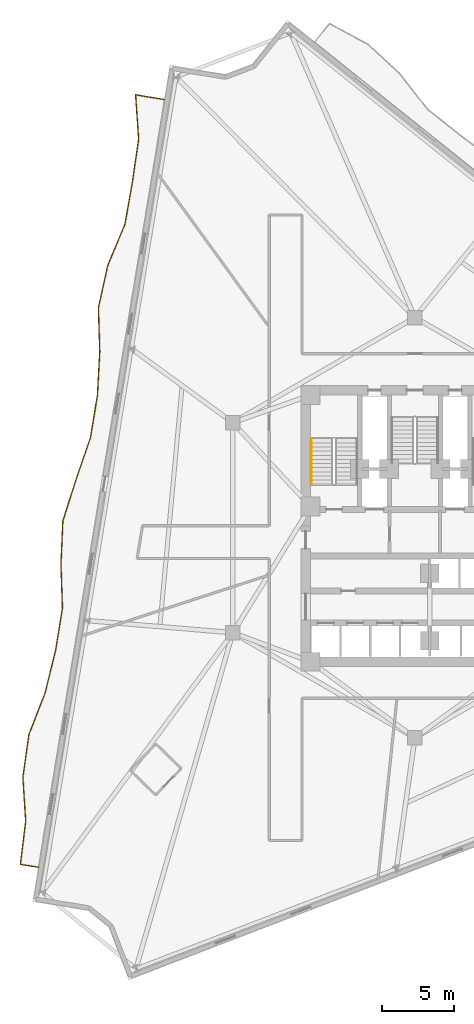
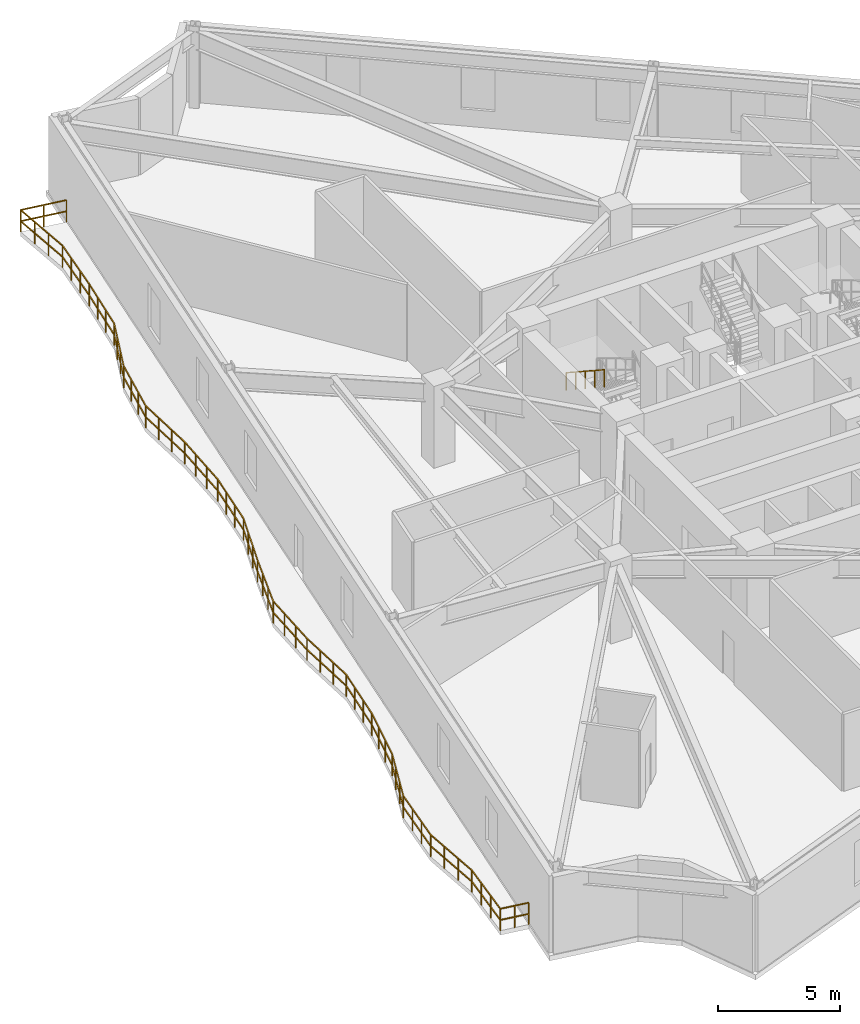
# One storey, part 8 of 10: 2 railings.
"""IFC4 building model written with IfcOpenShell, lengths in metres."""

from ifc_helpers import new_model, si_unit, direction, frame, origin, origin_2d, place, context, subcontext, project, spatial, rectangle, extrude, material, type_object, element, save


model = new_model("IFC4")

# Units and contexts
model_context = context("Model", 3, precision=1e-05, world=origin(), true_north=direction((0.0, 1.0)))
body_context = subcontext(model_context, "Body", "Model", "MODEL_VIEW")
ifc_project = project(units=[si_unit("LENGTHUNIT", "METRE"), si_unit("AREAUNIT", "SQUARE_METRE"), si_unit("VOLUMEUNIT", "CUBIC_METRE"), si_unit("PLANEANGLEUNIT", "RADIAN"), si_unit("MASSUNIT", "GRAM", prefix="KILO")], contexts=[model_context])

# Site, building, storey
site_placement = place(None, origin())
site = spatial("IfcSite", under=ifc_project, at=site_placement, CompositionType="ELEMENT")
building_placement = place(site_placement, origin())
building = spatial("IfcBuilding", under=site, at=building_placement, Name="Apsidion Concourse Tower", CompositionType="ELEMENT")
storey_placement = place(building_placement, frame((0.0, 0.0, 152.699951171875)))
storey = spatial("IfcBuildingStorey", under=building, at=storey_placement, Name="L35", CompositionType="ELEMENT", Elevation=152.699951171875)

# Railings
ifc_material = material(Name="Brushed stainless steel 316", Category="steel")
railing_type_1 = type_object("IfcRailingType", Name="RL-BAL-1120", PredefinedType="BALUSTRADE", material=ifc_material)
railing_1_placement = place(storey_placement, frame((-25.99072265625, -23.43701171875, 0.0)))
element("IfcRailing", 1, at=railing_1_placement, inside=storey, type_object=railing_type_1, Name="L35 Face 1 Rippling Balcony Balustrade", PredefinedType="BALUSTRADE", context=body_context, shape_type="SweptSolid", body=[
    extrude(rectangle(XDim=0.048095703125, YDim=0.048095703125, at=origin_2d()), frame((0.0, 0.0, 1.09619140625), z_axis=(-0.986776507438, 0.162086780363, 0.0), x_axis=(-0.162086780363, -0.986776507438, 0.0)), (0.0, 0.0, 1.0), 1.250244140625),
    extrude(rectangle(XDim=0.048095703125, YDim=0.048095703125, at=origin_2d()), frame((0.0, 0.0, 0.5361328125), z_axis=(-0.986776507438, 0.162086780363, 0.0), x_axis=(-0.162086780363, -0.986776507438, 0.0)), (0.0, 0.0, 1.0), 1.250244140625),
    extrude(rectangle(XDim=0.048095703125, YDim=0.048095703125, at=origin_2d()), frame((-1.233642578125, 0.20263671875, 1.09619140625), z_axis=(0.121850312869, 0.992548488112, 0.0), x_axis=(-0.992548488112, 0.121850312869, 0.0)), (0.0, 0.0, 1.0), 2.9853515625),
    extrude(rectangle(XDim=0.048095703125, YDim=0.048095703125, at=origin_2d()), frame((-1.233642578125, 0.20263671875, 0.5361328125), z_axis=(0.121850312869, 0.992548488112, 0.0), x_axis=(-0.992548488112, 0.121850312869, 0.0)), (0.0, 0.0, 1.0), 2.9853515625),
    extrude(rectangle(XDim=0.048095703125, YDim=0.048095703125, at=origin_2d()), frame((-0.869873046875, 3.165771484375, 1.09619140625), z_axis=(-0.063018922748, 0.998012332276, 0.0), x_axis=(-0.998012332276, -0.063018922748, 0.0)), (0.0, 0.0, 1.0), 3.060546875),
    extrude(rectangle(XDim=0.048095703125, YDim=0.048095703125, at=origin_2d()), frame((-0.869873046875, 3.165771484375, 0.5361328125), z_axis=(-0.063018922748, 0.998012332276, 0.0), x_axis=(-0.998012332276, -0.063018922748, 0.0)), (0.0, 0.0, 1.0), 3.060546875),
    extrude(rectangle(XDim=0.048095703125, YDim=0.048095703125, at=origin_2d()), frame((-1.062744140625, 6.22021484375, 1.09619140625), z_axis=(0.140000747197, 0.990151397911, 0.0), x_axis=(-0.990151397911, 0.140000747197, 0.0)), (0.0, 0.0, 1.0), 2.983642578125),
    extrude(rectangle(XDim=0.048095703125, YDim=0.048095703125, at=origin_2d()), frame((-1.062744140625, 6.22021484375, 0.5361328125), z_axis=(0.140000747197, 0.990151397911, 0.0), x_axis=(-0.990151397911, 0.140000747197, 0.0)), (0.0, 0.0, 1.0), 2.983642578125),
    extrude(rectangle(XDim=0.048095703125, YDim=0.048095703125, at=origin_2d()), frame((-0.64501953125, 9.174560546875, 1.09619140625), z_axis=(0.363384884933, 0.931639106845, 0.0), x_axis=(-0.931639106845, 0.363384884933, 0.0)), (0.0, 0.0, 1.0), 3.049560546875),
    extrude(rectangle(XDim=0.048095703125, YDim=0.048095703125, at=origin_2d()), frame((-0.64501953125, 9.174560546875, 0.5361328125), z_axis=(0.363384884933, 0.931639106845, 0.0), x_axis=(-0.931639106845, 0.363384884933, 0.0)), (0.0, 0.0, 1.0), 3.049560546875),
    extrude(rectangle(XDim=0.048095703125, YDim=0.048095703125, at=origin_2d()), frame((0.463134765625, 12.015625, 1.09619140625), z_axis=(0.240346635604, 0.970687125058, 0.0), x_axis=(-0.970687125058, 0.240346635604, 0.0)), (0.0, 0.0, 1.0), 2.992431640625),
    extrude(rectangle(XDim=0.048095703125, YDim=0.048095703125, at=origin_2d()), frame((0.463134765625, 12.015625, 0.5361328125), z_axis=(0.240346635604, 0.970687125058, 0.0), x_axis=(-0.970687125058, 0.240346635604, 0.0)), (0.0, 0.0, 1.0), 2.992431640625),
    extrude(rectangle(XDim=0.048095703125, YDim=0.048095703125, at=origin_2d()), frame((1.182373046875, 14.92041015625, 1.09619140625), z_axis=(0.161969706487, 0.986795730727, 0.0), x_axis=(-0.986795730727, 0.161969706487, 0.0)), (0.0, 0.0, 1.0), 2.98291015625),
    extrude(rectangle(XDim=0.048095703125, YDim=0.048095703125, at=origin_2d()), frame((1.182373046875, 14.92041015625, 0.5361328125), z_axis=(0.161969706487, 0.986795730727, 0.0), x_axis=(-0.986795730727, 0.161969706487, 0.0)), (0.0, 0.0, 1.0), 2.98291015625),
    extrude(rectangle(XDim=0.048095703125, YDim=0.048095703125, at=origin_2d()), frame((1.66552734375, 17.864013671875, 1.09619140625), z_axis=(-0.033317503367, 0.999444817871, 0.0), x_axis=(-0.999444817871, -0.033317503367, 0.0)), (0.0, 0.0, 1.0), 3.041015625),
    extrude(rectangle(XDim=0.048095703125, YDim=0.048095703125, at=origin_2d()), frame((1.66552734375, 17.864013671875, 0.5361328125), z_axis=(-0.033317503367, 0.999444817871, 0.0), x_axis=(-0.999444817871, -0.033317503367, 0.0)), (0.0, 0.0, 1.0), 3.041015625),
    extrude(rectangle(XDim=0.048095703125, YDim=0.048095703125, at=origin_2d()), frame((1.564208984375, 20.9033203125, 1.09619140625), z_axis=(0.04380044913, 0.999040299816, 0.0), x_axis=(-0.999040299816, 0.04380044913, 0.0)), (0.0, 0.0, 1.0), 3.00439453125),
    extrude(rectangle(XDim=0.048095703125, YDim=0.048095703125, at=origin_2d()), frame((1.564208984375, 20.9033203125, 0.5361328125), z_axis=(0.04380044913, 0.999040299816, 0.0), x_axis=(-0.999040299816, 0.04380044913, 0.0)), (0.0, 0.0, 1.0), 3.00439453125),
    extrude(rectangle(XDim=0.048095703125, YDim=0.048095703125, at=origin_2d()), frame((1.69580078125, 23.90478515625, 1.09619140625), z_axis=(0.30312677374, 0.952950239541, 0.0), x_axis=(-0.952950239541, 0.30312677374, 0.0)), (0.0, 0.0, 1.0), 3.0146484375),
    extrude(rectangle(XDim=0.048095703125, YDim=0.048095703125, at=origin_2d()), frame((1.69580078125, 23.90478515625, 0.5361328125), z_axis=(0.30312677374, 0.952950239541, 0.0), x_axis=(-0.952950239541, 0.30312677374, 0.0)), (0.0, 0.0, 1.0), 3.0146484375),
    extrude(rectangle(XDim=0.048095703125, YDim=0.048095703125, at=origin_2d()), frame((2.609619140625, 26.777587890625, 1.09619140625), z_axis=(0.326614591208, 0.945157610566, 0.0), x_axis=(-0.945157610566, 0.326614591208, 0.0)), (0.0, 0.0, 1.0), 3.026611328125),
    extrude(rectangle(XDim=0.048095703125, YDim=0.048095703125, at=origin_2d()), frame((2.609619140625, 26.777587890625, 0.5361328125), z_axis=(0.326614591208, 0.945157610566, 0.0), x_axis=(-0.945157610566, 0.326614591208, 0.0)), (0.0, 0.0, 1.0), 3.026611328125),
    extrude(rectangle(XDim=0.048095703125, YDim=0.048095703125, at=origin_2d()), frame((3.59814453125, 29.63818359375, 1.09619140625), z_axis=(0.161969706487, 0.986795730727, 0.0), x_axis=(-0.986795730727, 0.161969706487, 0.0)), (0.0, 0.0, 1.0), 2.98291015625),
    extrude(rectangle(XDim=0.048095703125, YDim=0.048095703125, at=origin_2d()), frame((3.59814453125, 29.63818359375, 0.5361328125), z_axis=(0.161969706487, 0.986795730727, 0.0), x_axis=(-0.986795730727, 0.161969706487, 0.0)), (0.0, 0.0, 1.0), 2.98291015625),
    extrude(rectangle(XDim=0.048095703125, YDim=0.048095703125, at=origin_2d()), frame((4.081298828125, 32.581787109375, 1.09619140625), z_axis=(0.053780119144, 0.998552802202, 0.0), x_axis=(-0.998552802202, 0.053780119144, 0.0)), (0.0, 0.0, 1.0), 3.000732421875),
    extrude(rectangle(XDim=0.048095703125, YDim=0.048095703125, at=origin_2d()), frame((4.081298828125, 32.581787109375, 0.5361328125), z_axis=(0.053780119144, 0.998552802202, 0.0), x_axis=(-0.998552802202, 0.053780119144, 0.0)), (0.0, 0.0, 1.0), 3.000732421875),
    extrude(rectangle(XDim=0.048095703125, YDim=0.048095703125, at=origin_2d()), frame((4.24267578125, 35.578125, 1.09619140625), z_axis=(-0.030123749605, 0.999546176877, 0.0), x_axis=(-0.999546176877, -0.030123749605, 0.0)), (0.0, 0.0, 1.0), 3.039306640625),
    extrude(rectangle(XDim=0.048095703125, YDim=0.048095703125, at=origin_2d()), frame((4.24267578125, 35.578125, 0.5361328125), z_axis=(-0.030123749605, 0.999546176877, 0.0), x_axis=(-0.999546176877, -0.030123749605, 0.0)), (0.0, 0.0, 1.0), 3.039306640625),
    extrude(rectangle(XDim=0.048095703125, YDim=0.048095703125, at=origin_2d()), frame((4.151123046875, 38.615966796875, 1.09619140625), z_axis=(0.215017683599, 0.976610155456, 0.0), x_axis=(-0.976610155456, 0.215017683599, 0.0)), (0.0, 0.0, 1.0), 2.9873046875),
    extrude(rectangle(XDim=0.048095703125, YDim=0.048095703125, at=origin_2d()), frame((4.151123046875, 38.615966796875, 0.5361328125), z_axis=(0.215017683599, 0.976610155456, 0.0), x_axis=(-0.976610155456, 0.215017683599, 0.0)), (0.0, 0.0, 1.0), 2.9873046875),
    extrude(rectangle(XDim=0.048095703125, YDim=0.048095703125, at=origin_2d()), frame((4.79345703125, 41.533447265625, 1.09619140625), z_axis=(0.385502948848, 0.922706603656, 0.0), x_axis=(-0.922706603656, 0.385502948848, 0.0)), (0.0, 0.0, 1.0), 3.06591796875),
    extrude(rectangle(XDim=0.048095703125, YDim=0.048095703125, at=origin_2d()), frame((4.79345703125, 41.533447265625, 0.5361328125), z_axis=(0.385502948848, 0.922706603656, 0.0), x_axis=(-0.922706603656, 0.385502948848, 0.0)), (0.0, 0.0, 1.0), 3.06591796875),
    extrude(rectangle(XDim=0.048095703125, YDim=0.048095703125, at=origin_2d()), frame((5.975341796875, 44.3623046875, 1.09619140625), z_axis=(0.174887012276, 0.984588509448, 0.0), x_axis=(-0.984588509448, 0.174887012276, 0.0)), (0.0, 0.0, 1.0), 2.983154296875),
    extrude(rectangle(XDim=0.048095703125, YDim=0.048095703125, at=origin_2d()), frame((5.975341796875, 44.3623046875, 0.5361328125), z_axis=(0.174887012276, 0.984588509448, 0.0), x_axis=(-0.984588509448, 0.174887012276, 0.0)), (0.0, 0.0, 1.0), 2.983154296875),
    extrude(rectangle(XDim=0.048095703125, YDim=0.048095703125, at=origin_2d()), frame((6.4970703125, 47.299560546875, 1.09619140625), z_axis=(0.143689245764, 0.989622857786, 0.0), x_axis=(-0.989622857786, 0.143689245764, 0.0)), (0.0, 0.0, 1.0), 2.983642578125),
    extrude(rectangle(XDim=0.048095703125, YDim=0.048095703125, at=origin_2d()), frame((6.4970703125, 47.299560546875, 0.5361328125), z_axis=(0.143689245764, 0.989622857786, 0.0), x_axis=(-0.989622857786, 0.143689245764, 0.0)), (0.0, 0.0, 1.0), 2.983642578125),
    extrude(rectangle(XDim=0.048095703125, YDim=0.048095703125, at=origin_2d()), frame((6.92578125, 50.252197265625, 1.09619140625), z_axis=(-0.069141071765, 0.997606892616, 0.0), x_axis=(-0.997606892616, -0.069141071765, 0.0)), (0.0, 0.0, 1.0), 3.06494140625),
    extrude(rectangle(XDim=0.048095703125, YDim=0.048095703125, at=origin_2d()), frame((6.92578125, 50.252197265625, 0.5361328125), z_axis=(-0.069141071765, 0.997606892616, 0.0), x_axis=(-0.997606892616, -0.069141071765, 0.0)), (0.0, 0.0, 1.0), 3.06494140625),
    extrude(rectangle(XDim=0.048095703125, YDim=0.048095703125, at=origin_2d()), frame((6.7138671875, 53.309814453125, 1.09619140625), z_axis=(0.986781844076, -0.162054287824, 0.0), x_axis=(0.162054287824, 0.986781844076, 0.0)), (0.0, 0.0, 1.0), 2.009765625),
    extrude(rectangle(XDim=0.048095703125, YDim=0.048095703125, at=origin_2d()), frame((6.7138671875, 53.309814453125, 0.5361328125), z_axis=(0.986781844076, -0.162054287824, 0.0), x_axis=(0.162054287824, 0.986781844076, 0.0)), (0.0, 0.0, 1.0), 2.009765625),
    extrude(rectangle(XDim=0.0419921875, YDim=0.0419921875, at=origin_2d()), origin(), (0.0, 0.0, 1.0), 1.072021484375),
    extrude(rectangle(XDim=0.0419921875, YDim=0.0419921875, at=origin_2d()), frame((-0.61669921875, 0.101318359375, 0.0)), (0.0, 0.0, 1.0), 1.072021484375),
    extrude(rectangle(XDim=0.0419921875, YDim=0.0419921875, at=origin_2d()), frame((-1.233642578125, 0.20263671875, 0.0)), (0.0, 0.0, 1.0), 1.072021484375),
    extrude(rectangle(XDim=0.0419921875, YDim=0.0419921875, at=origin_2d()), frame((-1.1123046875, 1.1904296875, 0.0)), (0.0, 0.0, 1.0), 1.072021484375),
    extrude(rectangle(XDim=0.0419921875, YDim=0.0419921875, at=origin_2d()), frame((-0.9912109375, 2.177978515625, 0.0)), (0.0, 0.0, 1.0), 1.072021484375),
    extrude(rectangle(XDim=0.0419921875, YDim=0.0419921875, at=origin_2d()), frame((-0.869873046875, 3.165771484375, 0.0)), (0.0, 0.0, 1.0), 1.072021484375),
    extrude(rectangle(XDim=0.0419921875, YDim=0.0419921875, at=origin_2d()), frame((-0.93408203125, 4.183837890625, 0.0)), (0.0, 0.0, 1.0), 1.072021484375),
    extrude(rectangle(XDim=0.0419921875, YDim=0.0419921875, at=origin_2d()), frame((-0.99853515625, 5.2021484375, 0.0)), (0.0, 0.0, 1.0), 1.072021484375),
    extrude(rectangle(XDim=0.0419921875, YDim=0.0419921875, at=origin_2d()), frame((-1.062744140625, 6.22021484375, 0.0)), (0.0, 0.0, 1.0), 1.072021484375),
    extrude(rectangle(XDim=0.0419921875, YDim=0.0419921875, at=origin_2d()), frame((-0.923583984375, 7.205078125, 0.0)), (0.0, 0.0, 1.0), 1.072021484375),
    extrude(rectangle(XDim=0.0419921875, YDim=0.0419921875, at=origin_2d()), frame((-0.7841796875, 8.189697265625, 0.0)), (0.0, 0.0, 1.0), 1.072021484375),
    extrude(rectangle(XDim=0.0419921875, YDim=0.0419921875, at=origin_2d()), frame((-0.64501953125, 9.174560546875, 0.0)), (0.0, 0.0, 1.0), 1.072021484375),
    extrude(rectangle(XDim=0.0419921875, YDim=0.0419921875, at=origin_2d()), frame((-0.275634765625, 10.12158203125, 0.0)), (0.0, 0.0, 1.0), 1.072021484375),
    extrude(rectangle(XDim=0.0419921875, YDim=0.0419921875, at=origin_2d()), frame((0.09375, 11.068603515625, 0.0)), (0.0, 0.0, 1.0), 1.072021484375),
    extrude(rectangle(XDim=0.0419921875, YDim=0.0419921875, at=origin_2d()), frame((0.463134765625, 12.015625, 0.0)), (0.0, 0.0, 1.0), 1.072021484375),
    extrude(rectangle(XDim=0.0419921875, YDim=0.0419921875, at=origin_2d()), frame((0.702880859375, 12.98388671875, 0.0)), (0.0, 0.0, 1.0), 1.072021484375),
    extrude(rectangle(XDim=0.0419921875, YDim=0.0419921875, at=origin_2d()), frame((0.942626953125, 13.9521484375, 0.0)), (0.0, 0.0, 1.0), 1.072021484375),
    extrude(rectangle(XDim=0.0419921875, YDim=0.0419921875, at=origin_2d()), frame((1.182373046875, 14.92041015625, 0.0)), (0.0, 0.0, 1.0), 1.072021484375),
    extrude(rectangle(XDim=0.0419921875, YDim=0.0419921875, at=origin_2d()), frame((1.343505859375, 15.901611328125, 0.0)), (0.0, 0.0, 1.0), 1.072021484375),
    extrude(rectangle(XDim=0.0419921875, YDim=0.0419921875, at=origin_2d()), frame((1.50439453125, 16.8828125, 0.0)), (0.0, 0.0, 1.0), 1.072021484375),
    extrude(rectangle(XDim=0.0419921875, YDim=0.0419921875, at=origin_2d()), frame((1.66552734375, 17.864013671875, 0.0)), (0.0, 0.0, 1.0), 1.072021484375),
    extrude(rectangle(XDim=0.0419921875, YDim=0.0419921875, at=origin_2d()), frame((1.6318359375, 18.877197265625, 0.0)), (0.0, 0.0, 1.0), 1.072021484375),
    extrude(rectangle(XDim=0.0419921875, YDim=0.0419921875, at=origin_2d()), frame((1.597900390625, 19.89013671875, 0.0)), (0.0, 0.0, 1.0), 1.072021484375),
    extrude(rectangle(XDim=0.0419921875, YDim=0.0419921875, at=origin_2d()), frame((1.564208984375, 20.9033203125, 0.0)), (0.0, 0.0, 1.0), 1.072021484375),
    extrude(rectangle(XDim=0.0419921875, YDim=0.0419921875, at=origin_2d()), frame((1.608154296875, 21.90380859375, 0.0)), (0.0, 0.0, 1.0), 1.072021484375),
    extrude(rectangle(XDim=0.0419921875, YDim=0.0419921875, at=origin_2d()), frame((1.65185546875, 22.904296875, 0.0)), (0.0, 0.0, 1.0), 1.072021484375),
    extrude(rectangle(XDim=0.0419921875, YDim=0.0419921875, at=origin_2d()), frame((1.69580078125, 23.90478515625, 0.0)), (0.0, 0.0, 1.0), 1.072021484375),
    extrude(rectangle(XDim=0.0419921875, YDim=0.0419921875, at=origin_2d()), frame((2.00048828125, 24.8623046875, 0.0)), (0.0, 0.0, 1.0), 1.072021484375),
    extrude(rectangle(XDim=0.0419921875, YDim=0.0419921875, at=origin_2d()), frame((2.304931640625, 25.820068359375, 0.0)), (0.0, 0.0, 1.0), 1.072021484375),
    extrude(rectangle(XDim=0.0419921875, YDim=0.0419921875, at=origin_2d()), frame((2.609619140625, 26.777587890625, 0.0)), (0.0, 0.0, 1.0), 1.072021484375),
    extrude(rectangle(XDim=0.0419921875, YDim=0.0419921875, at=origin_2d()), frame((2.939208984375, 27.731201171875, 0.0)), (0.0, 0.0, 1.0), 1.072021484375),
    extrude(rectangle(XDim=0.0419921875, YDim=0.0419921875, at=origin_2d()), frame((3.2685546875, 28.6845703125, 0.0)), (0.0, 0.0, 1.0), 1.072021484375),
    extrude(rectangle(XDim=0.0419921875, YDim=0.0419921875, at=origin_2d()), frame((3.59814453125, 29.63818359375, 0.0)), (0.0, 0.0, 1.0), 1.072021484375),
    extrude(rectangle(XDim=0.0419921875, YDim=0.0419921875, at=origin_2d()), frame((3.75927734375, 30.619384765625, 0.0)), (0.0, 0.0, 1.0), 1.072021484375),
    extrude(rectangle(XDim=0.0419921875, YDim=0.0419921875, at=origin_2d()), frame((3.920166015625, 31.6005859375, 0.0)), (0.0, 0.0, 1.0), 1.072021484375),
    extrude(rectangle(XDim=0.0419921875, YDim=0.0419921875, at=origin_2d()), frame((4.081298828125, 32.581787109375, 0.0)), (0.0, 0.0, 1.0), 1.072021484375),
    extrude(rectangle(XDim=0.0419921875, YDim=0.0419921875, at=origin_2d()), frame((4.135009765625, 33.58056640625, 0.0)), (0.0, 0.0, 1.0), 1.072021484375),
    extrude(rectangle(XDim=0.0419921875, YDim=0.0419921875, at=origin_2d()), frame((4.18896484375, 34.579345703125, 0.0)), (0.0, 0.0, 1.0), 1.072021484375),
    extrude(rectangle(XDim=0.0419921875, YDim=0.0419921875, at=origin_2d()), frame((4.24267578125, 35.578125, 0.0)), (0.0, 0.0, 1.0), 1.072021484375),
    extrude(rectangle(XDim=0.0419921875, YDim=0.0419921875, at=origin_2d()), frame((4.212158203125, 36.5908203125, 0.0)), (0.0, 0.0, 1.0), 1.072021484375),
    extrude(rectangle(XDim=0.0419921875, YDim=0.0419921875, at=origin_2d()), frame((4.181640625, 37.603271484375, 0.0)), (0.0, 0.0, 1.0), 1.072021484375),
    extrude(rectangle(XDim=0.0419921875, YDim=0.0419921875, at=origin_2d()), frame((4.151123046875, 38.615966796875, 0.0)), (0.0, 0.0, 1.0), 1.072021484375),
    extrude(rectangle(XDim=0.0419921875, YDim=0.0419921875, at=origin_2d()), frame((4.365234375, 39.58837890625, 0.0)), (0.0, 0.0, 1.0), 1.072021484375),
    extrude(rectangle(XDim=0.0419921875, YDim=0.0419921875, at=origin_2d()), frame((4.579345703125, 40.56103515625, 0.0)), (0.0, 0.0, 1.0), 1.072021484375),
    extrude(rectangle(XDim=0.0419921875, YDim=0.0419921875, at=origin_2d()), frame((4.79345703125, 41.533447265625, 0.0)), (0.0, 0.0, 1.0), 1.072021484375),
    extrude(rectangle(XDim=0.0419921875, YDim=0.0419921875, at=origin_2d()), frame((5.1875, 42.476318359375, 0.0)), (0.0, 0.0, 1.0), 1.072021484375),
    extrude(rectangle(XDim=0.0419921875, YDim=0.0419921875, at=origin_2d()), frame((5.581298828125, 43.41943359375, 0.0)), (0.0, 0.0, 1.0), 1.072021484375),
    extrude(rectangle(XDim=0.0419921875, YDim=0.0419921875, at=origin_2d()), frame((5.975341796875, 44.3623046875, 0.0)), (0.0, 0.0, 1.0), 1.072021484375),
    extrude(rectangle(XDim=0.0419921875, YDim=0.0419921875, at=origin_2d()), frame((6.149169921875, 45.34130859375, 0.0)), (0.0, 0.0, 1.0), 1.072021484375),
    extrude(rectangle(XDim=0.0419921875, YDim=0.0419921875, at=origin_2d()), frame((6.3232421875, 46.320556640625, 0.0)), (0.0, 0.0, 1.0), 1.072021484375),
    extrude(rectangle(XDim=0.0419921875, YDim=0.0419921875, at=origin_2d()), frame((6.4970703125, 47.299560546875, 0.0)), (0.0, 0.0, 1.0), 1.072021484375),
    extrude(rectangle(XDim=0.0419921875, YDim=0.0419921875, at=origin_2d()), frame((6.639892578125, 48.28369140625, 0.0)), (0.0, 0.0, 1.0), 1.072021484375),
    extrude(rectangle(XDim=0.0419921875, YDim=0.0419921875, at=origin_2d()), frame((6.782958984375, 49.26806640625, 0.0)), (0.0, 0.0, 1.0), 1.072021484375),
    extrude(rectangle(XDim=0.0419921875, YDim=0.0419921875, at=origin_2d()), frame((6.92578125, 50.252197265625, 0.0)), (0.0, 0.0, 1.0), 1.072021484375),
    extrude(rectangle(XDim=0.0419921875, YDim=0.0419921875, at=origin_2d()), frame((6.855224609375, 51.271484375, 0.0)), (0.0, 0.0, 1.0), 1.072021484375),
    extrude(rectangle(XDim=0.0419921875, YDim=0.0419921875, at=origin_2d()), frame((6.784423828125, 52.29052734375, 0.0)), (0.0, 0.0, 1.0), 1.072021484375),
    extrude(rectangle(XDim=0.0419921875, YDim=0.0419921875, at=origin_2d()), frame((6.7138671875, 53.309814453125, 0.0)), (0.0, 0.0, 1.0), 1.072021484375),
    extrude(rectangle(XDim=0.0419921875, YDim=0.0419921875, at=origin_2d()), frame((7.70556640625, 53.14697265625, 0.0)), (0.0, 0.0, 1.0), 1.072021484375),
    extrude(rectangle(XDim=0.0419921875, YDim=0.0419921875, at=origin_2d()), frame((8.697021484375, 52.984130859375, 0.0)), (0.0, 0.0, 1.0), 1.072021484375),
])
railing_type_2 = type_object("IfcRailingType", Name="RL-HAND-900", PredefinedType="HANDRAIL", material=ifc_material)
railing_2_placement = place(storey_placement, frame((-7.14990234375, 6.135009765625, 2.220947265625)))
element("IfcRailing", 2, at=railing_2_placement, inside=storey, type_object=railing_type_2, Name="L35 ST1 stair handrail 2", PredefinedType="HANDRAIL", context=body_context, shape_type="SweptSolid", body=[
    extrude(rectangle(XDim=0.048095703125, YDim=0.048095703125, at=origin_2d()), frame((0.0, 0.0, 0.8759765625), z_axis=(0.0, -0.836940907821, 0.547293263996), x_axis=(1.0, 0.0, 0.0)), (0.0, 0.0, 1.0), 3.745849609375),
    extrude(rectangle(XDim=0.0419921875, YDim=0.0419921875, at=origin_2d()), origin(), (0.0, 0.0, 1.0), 0.851806640625),
    extrude(rectangle(XDim=0.0419921875, YDim=0.0419921875, at=origin_2d()), frame((0.0, -0.78369140625, 0.512451171875)), (0.0, 0.0, 1.0), 0.851806640625),
    extrude(rectangle(XDim=0.0419921875, YDim=0.0419921875, at=origin_2d()), frame((0.0, -1.5673828125, 1.02490234375)), (0.0, 0.0, 1.0), 0.851806640625),
    extrude(rectangle(XDim=0.0419921875, YDim=0.0419921875, at=origin_2d()), frame((0.0, -2.351318359375, 1.53759765625)), (0.0, 0.0, 1.0), 0.851806640625),
    extrude(rectangle(XDim=0.0419921875, YDim=0.0419921875, at=origin_2d()), frame((0.0, -3.135009765625, 2.050048828125)), (0.0, 0.0, 1.0), 0.851806640625),
])

save(model, "model.ifc")
